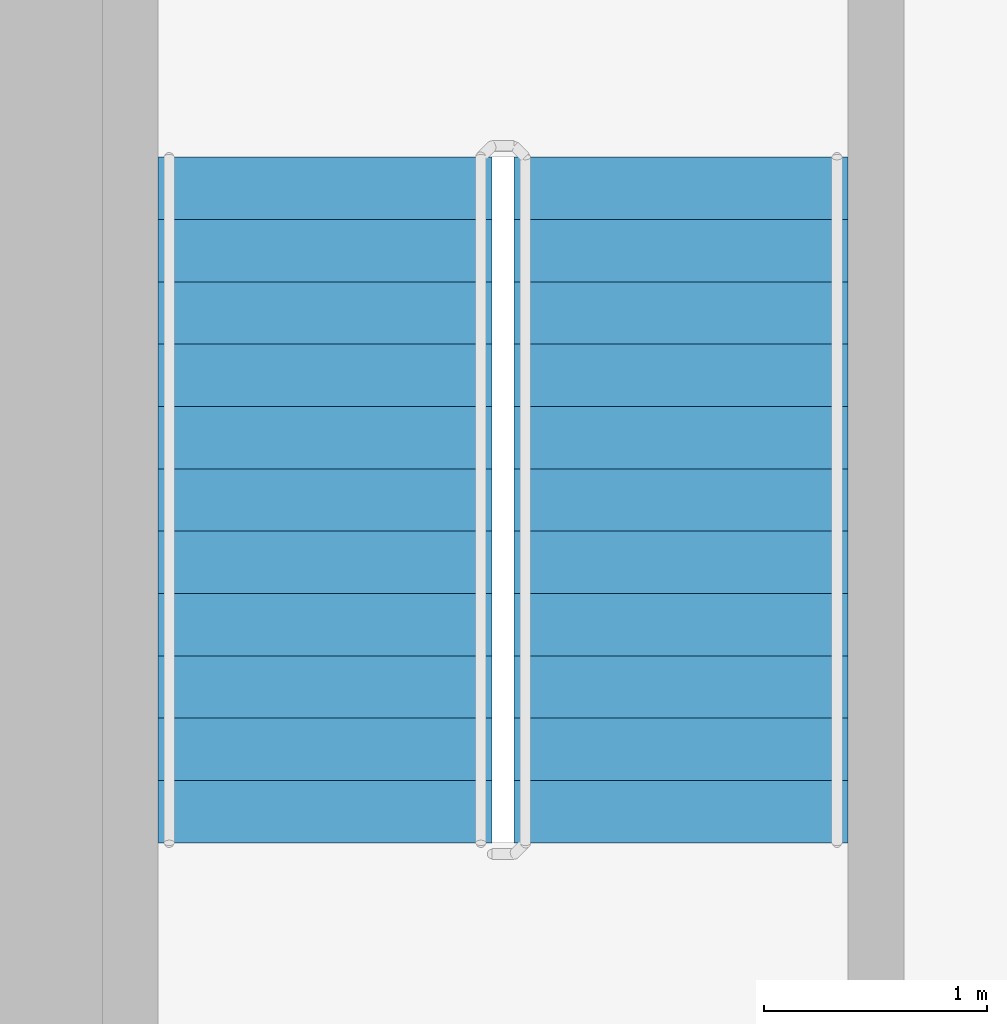
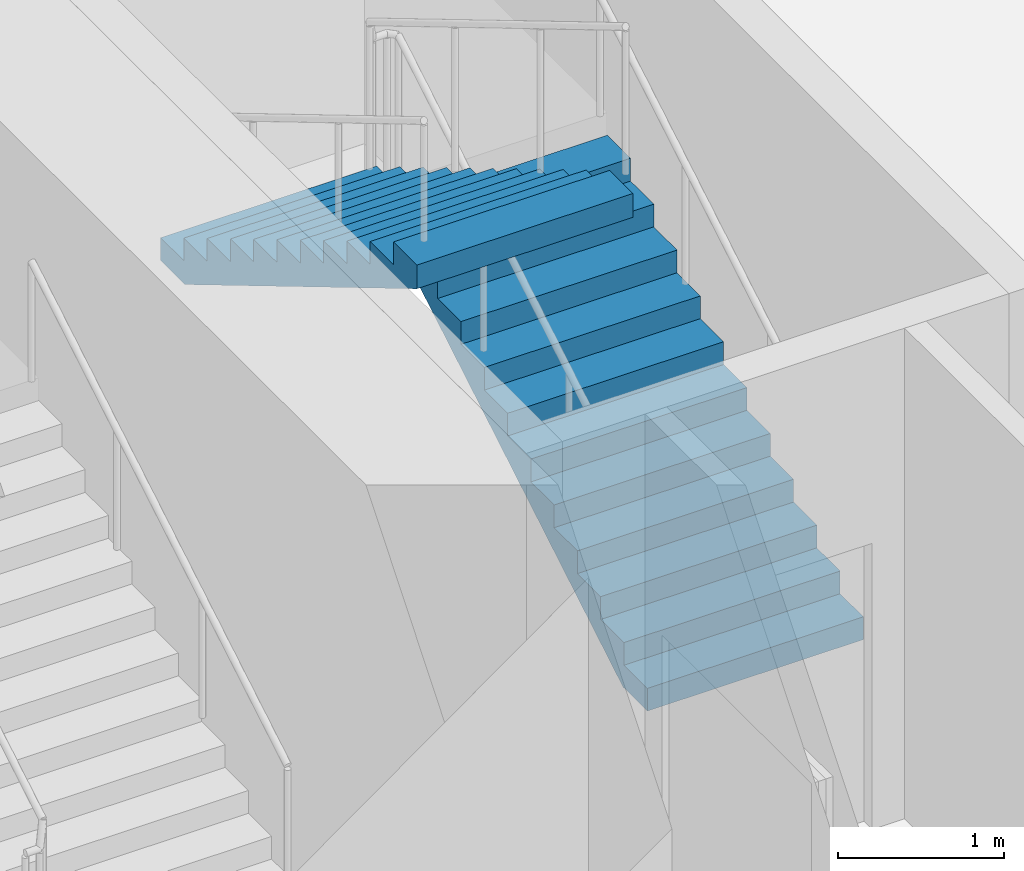
# One storey, part 18 of 21: 2 stair flights, 1 element without a shape of its own.
"""IFC4 building model written with IfcOpenShell, lengths in metres."""

from ifc_helpers import new_model, si_unit, direction, frame, origin, place, context, subcontext, project, spatial, triangles, source, transform, mapped, material, type_object, element, aggregate, save


model = new_model("IFC4")

# Units and contexts
model_context = context("Model", 3, precision=1e-05, world=origin(), true_north=direction((0.0, 1.0)))
body_context = subcontext(model_context, "Body", "Model", "MODEL_VIEW")
ifc_project = project(units=[si_unit("LENGTHUNIT", "METRE"), si_unit("AREAUNIT", "SQUARE_METRE"), si_unit("VOLUMEUNIT", "CUBIC_METRE"), si_unit("PLANEANGLEUNIT", "RADIAN"), si_unit("MASSUNIT", "GRAM", prefix="KILO")], contexts=[model_context])

# Site, building, storey
site_placement = place(None, origin())
site = spatial("IfcSite", under=ifc_project, at=site_placement, CompositionType="ELEMENT")
building_placement = place(site_placement, origin())
building = spatial("IfcBuilding", under=site, at=building_placement, Name="Kilnfold Tower and Market Hall", CompositionType="ELEMENT")
storey_placement = place(building_placement, frame((0.0, 0.0, 91.199951171875)))
storey = spatial("IfcBuildingStorey", under=building, at=storey_placement, Name="L21", CompositionType="ELEMENT", Elevation=91.199951171875)

# Stair, stair flights
ifc_material_1 = material(Name="Concrete C40/50", Category="concrete")
stair_type = type_object("IfcStairType", Name="CORE STAIR 1500", PredefinedType="HALF_TURN_STAIR", material=ifc_material_1)
stair_placement = place(storey_placement, origin())
stair = element("IfcStair", 1, at=stair_placement, inside=storey, type_object=stair_type, Name="L21 ST5", PredefinedType="HALF_TURN_STAIR")
ifc_material_2 = material(Name="Concrete C40/50", Category="concrete")
stair_flight_type = type_object("IfcStairFlightType", Name="CORE STAIR FLIGHT 1500", PredefinedType="STRAIGHT", material=ifc_material_2)
shared_shape = source(origin(), body_context, "Body", "Tessellation", [
    triangles([(0.0, 0.75, 0.0), (0.0, 0.65625, 0.0), (0.0, 0.5625, 0.0), (0.0, 0.46875, 0.0), (0.0, 0.375, 0.0), (0.0, 0.28125, 0.0), (0.0, 0.1875, 0.0), (0.0, 0.09375, 0.0), (0.0, 0.0, 0.0), (0.0, -0.09375, 0.0), (0.0, -0.1875, 0.0), (0.0, -0.28125, 0.0), (0.0, -0.375, 0.0), (0.0, -0.46875, 0.0), (0.0, -0.5625, 0.0), (0.0, -0.65625, 0.0), (0.0, -0.75, 0.0), (0.0, 0.75, 0.166748046875), (0.0, 0.65625, 0.166748046875), (0.0, 0.5625, 0.166748046875), (0.0, 0.46875, 0.166748046875), (0.0, 0.375, 0.166748046875), (0.0, 0.28125, 0.166748046875), (0.0, 0.1875, 0.166748046875), (0.0, 0.09375, 0.166748046875), (0.0, 0.0, 0.166748046875), (0.0, -0.09375, 0.166748046875), (0.0, -0.1875, 0.166748046875), (0.0, -0.28125, 0.166748046875), (0.0, -0.375, 0.166748046875), (0.0, -0.46875, 0.166748046875), (0.0, -0.5625, 0.166748046875), (0.0, -0.65625, 0.166748046875), (0.0, -0.75, 0.166748046875), (0.280029296875, 0.75, 0.166748046875), (0.280029296875, 0.65625, 0.166748046875), (0.280029296875, 0.5625, 0.166748046875), (0.280029296875, 0.46875, 0.166748046875), (0.280029296875, 0.375, 0.166748046875), (0.280029296875, 0.28125, 0.166748046875), (0.280029296875, 0.1875, 0.166748046875), (0.280029296875, 0.09375, 0.166748046875), (0.280029296875, 0.0, 0.166748046875), (0.280029296875, -0.09375, 0.166748046875), (0.280029296875, -0.1875, 0.166748046875), (0.280029296875, -0.28125, 0.166748046875), (0.280029296875, -0.375, 0.166748046875), (0.280029296875, -0.46875, 0.166748046875), (0.280029296875, -0.5625, 0.166748046875), (0.280029296875, -0.65625, 0.166748046875), (0.280029296875, -0.75, 0.166748046875), (0.280029296875, 0.75, 0.333251953125), (0.280029296875, 0.65625, 0.333251953125), (0.280029296875, 0.5625, 0.333251953125), (0.280029296875, 0.46875, 0.333251953125), (0.280029296875, 0.375, 0.333251953125), (0.280029296875, 0.28125, 0.333251953125), (0.280029296875, 0.1875, 0.333251953125), (0.280029296875, 0.09375, 0.333251953125), (0.280029296875, 0.0, 0.333251953125), (0.280029296875, -0.09375, 0.333251953125), (0.280029296875, -0.1875, 0.333251953125), (0.280029296875, -0.28125, 0.333251953125), (0.280029296875, -0.375, 0.333251953125), (0.280029296875, -0.46875, 0.333251953125), (0.280029296875, -0.5625, 0.333251953125), (0.280029296875, -0.65625, 0.333251953125), (0.280029296875, -0.75, 0.333251953125), (0.56005859375, 0.75, 0.333251953125), (0.56005859375, 0.65625, 0.333251953125), (0.56005859375, 0.5625, 0.333251953125), (0.56005859375, 0.46875, 0.333251953125), (0.56005859375, 0.375, 0.333251953125), (0.56005859375, 0.28125, 0.333251953125), (0.56005859375, 0.1875, 0.333251953125), (0.56005859375, 0.09375, 0.333251953125), (0.56005859375, 0.0, 0.333251953125), (0.56005859375, -0.09375, 0.333251953125), (0.56005859375, -0.1875, 0.333251953125), (0.56005859375, -0.28125, 0.333251953125), (0.56005859375, -0.375, 0.333251953125), (0.56005859375, -0.46875, 0.333251953125), (0.56005859375, -0.5625, 0.333251953125), (0.56005859375, -0.65625, 0.333251953125), (0.56005859375, -0.75, 0.333251953125), (0.56005859375, 0.75, 0.5), (0.56005859375, 0.65625, 0.5), (0.56005859375, 0.5625, 0.5), (0.56005859375, 0.46875, 0.5), (0.56005859375, 0.375, 0.5), (0.56005859375, 0.28125, 0.5), (0.56005859375, 0.1875, 0.5), (0.56005859375, 0.09375, 0.5), (0.56005859375, 0.0, 0.5), (0.56005859375, -0.09375, 0.5), (0.56005859375, -0.1875, 0.5), (0.56005859375, -0.28125, 0.5), (0.56005859375, -0.375, 0.5), (0.56005859375, -0.46875, 0.5), (0.56005859375, -0.5625, 0.5), (0.56005859375, -0.65625, 0.5), (0.56005859375, -0.75, 0.5), (0.840087890625, 0.75, 0.5), (0.840087890625, 0.65625, 0.5), (0.840087890625, 0.5625, 0.5), (0.840087890625, 0.46875, 0.5), (0.840087890625, 0.375, 0.5), (0.840087890625, 0.28125, 0.5), (0.840087890625, 0.1875, 0.5), (0.840087890625, 0.09375, 0.5), (0.840087890625, 0.0, 0.5), (0.840087890625, -0.09375, 0.5), (0.840087890625, -0.1875, 0.5), (0.840087890625, -0.28125, 0.5), (0.840087890625, -0.375, 0.5), (0.840087890625, -0.46875, 0.5), (0.840087890625, -0.5625, 0.5), (0.840087890625, -0.65625, 0.5), (0.840087890625, -0.75, 0.5), (0.840087890625, 0.75, 0.666748046875), (0.840087890625, 0.65625, 0.666748046875), (0.840087890625, 0.5625, 0.666748046875), (0.840087890625, 0.46875, 0.666748046875), (0.840087890625, 0.375, 0.666748046875), (0.840087890625, 0.28125, 0.666748046875), (0.840087890625, 0.1875, 0.666748046875), (0.840087890625, 0.09375, 0.666748046875), (0.840087890625, 0.0, 0.666748046875), (0.840087890625, -0.09375, 0.666748046875), (0.840087890625, -0.1875, 0.666748046875), (0.840087890625, -0.28125, 0.666748046875), (0.840087890625, -0.375, 0.666748046875), (0.840087890625, -0.46875, 0.666748046875), (0.840087890625, -0.5625, 0.666748046875), (0.840087890625, -0.65625, 0.666748046875), (0.840087890625, -0.75, 0.666748046875), (1.1201171875, 0.75, 0.666748046875), (1.1201171875, 0.65625, 0.666748046875), (1.1201171875, 0.5625, 0.666748046875), (1.1201171875, 0.46875, 0.666748046875), (1.1201171875, 0.375, 0.666748046875), (1.1201171875, 0.28125, 0.666748046875), (1.1201171875, 0.1875, 0.666748046875), (1.1201171875, 0.09375, 0.666748046875), (1.1201171875, 0.0, 0.666748046875), (1.1201171875, -0.09375, 0.666748046875), (1.1201171875, -0.1875, 0.666748046875), (1.1201171875, -0.28125, 0.666748046875), (1.1201171875, -0.375, 0.666748046875), (1.1201171875, -0.46875, 0.666748046875), (1.1201171875, -0.5625, 0.666748046875), (1.1201171875, -0.65625, 0.666748046875), (1.1201171875, -0.75, 0.666748046875), (1.1201171875, 0.75, 0.833251953125), (1.1201171875, 0.65625, 0.833251953125), (1.1201171875, 0.5625, 0.833251953125), (1.1201171875, 0.46875, 0.833251953125), (1.1201171875, 0.375, 0.833251953125), (1.1201171875, 0.28125, 0.833251953125), (1.1201171875, 0.1875, 0.833251953125), (1.1201171875, 0.09375, 0.833251953125), (1.1201171875, 0.0, 0.833251953125), (1.1201171875, -0.09375, 0.833251953125), (1.1201171875, -0.1875, 0.833251953125), (1.1201171875, -0.28125, 0.833251953125), (1.1201171875, -0.375, 0.833251953125), (1.1201171875, -0.46875, 0.833251953125), (1.1201171875, -0.5625, 0.833251953125), (1.1201171875, -0.65625, 0.833251953125), (1.1201171875, -0.75, 0.833251953125), (1.39990234375, 0.75, 0.833251953125), (1.39990234375, 0.65625, 0.833251953125), (1.39990234375, 0.5625, 0.833251953125), (1.39990234375, 0.46875, 0.833251953125), (1.39990234375, 0.375, 0.833251953125), (1.39990234375, 0.28125, 0.833251953125), (1.39990234375, 0.1875, 0.833251953125), (1.39990234375, 0.09375, 0.833251953125), (1.39990234375, 0.0, 0.833251953125), (1.39990234375, -0.09375, 0.833251953125), (1.39990234375, -0.1875, 0.833251953125), (1.39990234375, -0.28125, 0.833251953125), (1.39990234375, -0.375, 0.833251953125), (1.39990234375, -0.46875, 0.833251953125), (1.39990234375, -0.5625, 0.833251953125), (1.39990234375, -0.65625, 0.833251953125), (1.39990234375, -0.75, 0.833251953125), (1.39990234375, 0.75, 1.0), (1.39990234375, 0.65625, 1.0), (1.39990234375, 0.5625, 1.0), (1.39990234375, 0.46875, 1.0), (1.39990234375, 0.375, 1.0), (1.39990234375, 0.28125, 1.0), (1.39990234375, 0.1875, 1.0), (1.39990234375, 0.09375, 1.0), (1.39990234375, 0.0, 1.0), (1.39990234375, -0.09375, 1.0), (1.39990234375, -0.1875, 1.0), (1.39990234375, -0.28125, 1.0), (1.39990234375, -0.375, 1.0), (1.39990234375, -0.46875, 1.0), (1.39990234375, -0.5625, 1.0), (1.39990234375, -0.65625, 1.0), (1.39990234375, -0.75, 1.0), (1.679931640625, 0.75, 1.0), (1.679931640625, 0.65625, 1.0), (1.679931640625, 0.5625, 1.0), (1.679931640625, 0.46875, 1.0), (1.679931640625, 0.375, 1.0), (1.679931640625, 0.28125, 1.0), (1.679931640625, 0.1875, 1.0), (1.679931640625, 0.09375, 1.0), (1.679931640625, 0.0, 1.0), (1.679931640625, -0.09375, 1.0), (1.679931640625, -0.1875, 1.0), (1.679931640625, -0.28125, 1.0), (1.679931640625, -0.375, 1.0), (1.679931640625, -0.46875, 1.0), (1.679931640625, -0.5625, 1.0), (1.679931640625, -0.65625, 1.0), (1.679931640625, -0.75, 1.0), (1.679931640625, 0.75, 1.166748046875), (1.679931640625, 0.65625, 1.166748046875), (1.679931640625, 0.5625, 1.166748046875), (1.679931640625, 0.46875, 1.166748046875), (1.679931640625, 0.375, 1.166748046875), (1.679931640625, 0.28125, 1.166748046875), (1.679931640625, 0.1875, 1.166748046875), (1.679931640625, 0.09375, 1.166748046875), (1.679931640625, 0.0, 1.166748046875), (1.679931640625, -0.09375, 1.166748046875), (1.679931640625, -0.1875, 1.166748046875), (1.679931640625, -0.28125, 1.166748046875), (1.679931640625, -0.375, 1.166748046875), (1.679931640625, -0.46875, 1.166748046875), (1.679931640625, -0.5625, 1.166748046875), (1.679931640625, -0.65625, 1.166748046875), (1.679931640625, -0.75, 1.166748046875), (1.9599609375, 0.75, 1.166748046875), (1.9599609375, 0.65625, 1.166748046875), (1.9599609375, 0.5625, 1.166748046875), (1.9599609375, 0.46875, 1.166748046875), (1.9599609375, 0.375, 1.166748046875), (1.9599609375, 0.28125, 1.166748046875), (1.9599609375, 0.1875, 1.166748046875), (1.9599609375, 0.09375, 1.166748046875), (1.9599609375, 0.0, 1.166748046875), (1.9599609375, -0.09375, 1.166748046875), (1.9599609375, -0.1875, 1.166748046875), (1.9599609375, -0.28125, 1.166748046875), (1.9599609375, -0.375, 1.166748046875), (1.9599609375, -0.46875, 1.166748046875), (1.9599609375, -0.5625, 1.166748046875), (1.9599609375, -0.65625, 1.166748046875), (1.9599609375, -0.75, 1.166748046875), (1.9599609375, 0.75, 1.333251953125), (1.9599609375, 0.65625, 1.333251953125), (1.9599609375, 0.5625, 1.333251953125), (1.9599609375, 0.46875, 1.333251953125), (1.9599609375, 0.375, 1.333251953125), (1.9599609375, 0.28125, 1.333251953125), (1.9599609375, 0.1875, 1.333251953125), (1.9599609375, 0.09375, 1.333251953125), (1.9599609375, 0.0, 1.333251953125), (1.9599609375, -0.09375, 1.333251953125), (1.9599609375, -0.1875, 1.333251953125), (1.9599609375, -0.28125, 1.333251953125), (1.9599609375, -0.375, 1.333251953125), (1.9599609375, -0.46875, 1.333251953125), (1.9599609375, -0.5625, 1.333251953125), (1.9599609375, -0.65625, 1.333251953125), (1.9599609375, -0.75, 1.333251953125), (2.239990234375, 0.75, 1.333251953125), (2.239990234375, 0.65625, 1.333251953125), (2.239990234375, 0.5625, 1.333251953125), (2.239990234375, 0.46875, 1.333251953125), (2.239990234375, 0.375, 1.333251953125), (2.239990234375, 0.28125, 1.333251953125), (2.239990234375, 0.1875, 1.333251953125), (2.239990234375, 0.09375, 1.333251953125), (2.239990234375, 0.0, 1.333251953125), (2.239990234375, -0.09375, 1.333251953125), (2.239990234375, -0.1875, 1.333251953125), (2.239990234375, -0.28125, 1.333251953125), (2.239990234375, -0.375, 1.333251953125), (2.239990234375, -0.46875, 1.333251953125), (2.239990234375, -0.5625, 1.333251953125), (2.239990234375, -0.65625, 1.333251953125), (2.239990234375, -0.75, 1.333251953125), (2.239990234375, 0.75, 1.5), (2.239990234375, 0.65625, 1.5), (2.239990234375, 0.5625, 1.5), (2.239990234375, 0.46875, 1.5), (2.239990234375, 0.375, 1.5), (2.239990234375, 0.28125, 1.5), (2.239990234375, 0.1875, 1.5), (2.239990234375, 0.09375, 1.5), (2.239990234375, 0.0, 1.5), (2.239990234375, -0.09375, 1.5), (2.239990234375, -0.1875, 1.5), (2.239990234375, -0.28125, 1.5), (2.239990234375, -0.375, 1.5), (2.239990234375, -0.46875, 1.5), (2.239990234375, -0.5625, 1.5), (2.239990234375, -0.65625, 1.5), (2.239990234375, -0.75, 1.5), (2.52001953125, 0.75, 1.5), (2.52001953125, 0.65625, 1.5), (2.52001953125, 0.5625, 1.5), (2.52001953125, 0.46875, 1.5), (2.52001953125, 0.375, 1.5), (2.52001953125, 0.28125, 1.5), (2.52001953125, 0.1875, 1.5), (2.52001953125, 0.09375, 1.5), (2.52001953125, 0.0, 1.5), (2.52001953125, -0.09375, 1.5), (2.52001953125, -0.1875, 1.5), (2.52001953125, -0.28125, 1.5), (2.52001953125, -0.375, 1.5), (2.52001953125, -0.46875, 1.5), (2.52001953125, -0.5625, 1.5), (2.52001953125, -0.65625, 1.5), (2.52001953125, -0.75, 1.5), (2.52001953125, 0.75, 1.666748046875), (2.52001953125, 0.65625, 1.666748046875), (2.52001953125, 0.5625, 1.666748046875), (2.52001953125, 0.46875, 1.666748046875), (2.52001953125, 0.375, 1.666748046875), (2.52001953125, 0.28125, 1.666748046875), (2.52001953125, 0.1875, 1.666748046875), (2.52001953125, 0.09375, 1.666748046875), (2.52001953125, 0.0, 1.666748046875), (2.52001953125, -0.09375, 1.666748046875), (2.52001953125, -0.1875, 1.666748046875), (2.52001953125, -0.28125, 1.666748046875), (2.52001953125, -0.375, 1.666748046875), (2.52001953125, -0.46875, 1.666748046875), (2.52001953125, -0.5625, 1.666748046875), (2.52001953125, -0.65625, 1.666748046875), (2.52001953125, -0.75, 1.666748046875), (2.800048828125, 0.75, 1.666748046875), (2.800048828125, 0.65625, 1.666748046875), (2.800048828125, 0.5625, 1.666748046875), (2.800048828125, 0.46875, 1.666748046875), (2.800048828125, 0.375, 1.666748046875), (2.800048828125, 0.28125, 1.666748046875), (2.800048828125, 0.1875, 1.666748046875), (2.800048828125, 0.09375, 1.666748046875), (2.800048828125, 0.0, 1.666748046875), (2.800048828125, -0.09375, 1.666748046875), (2.800048828125, -0.1875, 1.666748046875), (2.800048828125, -0.28125, 1.666748046875), (2.800048828125, -0.375, 1.666748046875), (2.800048828125, -0.46875, 1.666748046875), (2.800048828125, -0.5625, 1.666748046875), (2.800048828125, -0.65625, 1.666748046875), (2.800048828125, -0.75, 1.666748046875), (2.800048828125, 0.75, 1.833251953125), (2.800048828125, 0.65625, 1.833251953125), (2.800048828125, 0.5625, 1.833251953125), (2.800048828125, 0.46875, 1.833251953125), (2.800048828125, 0.375, 1.833251953125), (2.800048828125, 0.28125, 1.833251953125), (2.800048828125, 0.1875, 1.833251953125), (2.800048828125, 0.09375, 1.833251953125), (2.800048828125, 0.0, 1.833251953125), (2.800048828125, -0.09375, 1.833251953125), (2.800048828125, -0.1875, 1.833251953125), (2.800048828125, -0.28125, 1.833251953125), (2.800048828125, -0.375, 1.833251953125), (2.800048828125, -0.46875, 1.833251953125), (2.800048828125, -0.5625, 1.833251953125), (2.800048828125, -0.65625, 1.833251953125), (2.800048828125, -0.75, 1.833251953125), (3.080078125, 0.75, 1.833251953125), (3.080078125, 0.65625, 1.833251953125), (3.080078125, 0.5625, 1.833251953125), (3.080078125, 0.46875, 1.833251953125), (3.080078125, 0.375, 1.833251953125), (3.080078125, 0.28125, 1.833251953125), (3.080078125, 0.1875, 1.833251953125), (3.080078125, 0.09375, 1.833251953125), (3.080078125, 0.0, 1.833251953125), (3.080078125, -0.09375, 1.833251953125), (3.080078125, -0.1875, 1.833251953125), (3.080078125, -0.28125, 1.833251953125), (3.080078125, -0.375, 1.833251953125), (3.080078125, -0.46875, 1.833251953125), (3.080078125, -0.5625, 1.833251953125), (3.080078125, -0.65625, 1.833251953125), (3.080078125, -0.75, 1.833251953125), (3.080078125, 0.75, 1.658935546875), (3.080078125, 0.65625, 1.658935546875), (3.080078125, 0.5625, 1.658935546875), (3.080078125, 0.46875, 1.658935546875), (3.080078125, 0.375, 1.658935546875), (3.080078125, 0.28125, 1.658935546875), (3.080078125, 0.1875, 1.658935546875), (3.080078125, 0.09375, 1.658935546875), (3.080078125, 0.0, 1.658935546875), (3.080078125, -0.09375, 1.658935546875), (3.080078125, -0.1875, 1.658935546875), (3.080078125, -0.28125, 1.658935546875), (3.080078125, -0.375, 1.658935546875), (3.080078125, -0.46875, 1.658935546875), (3.080078125, -0.5625, 1.658935546875), (3.080078125, -0.65625, 1.658935546875), (3.080078125, -0.75, 1.658935546875), (0.29296875, 0.75, 0.0), (0.29296875, 0.65625, 0.0), (0.29296875, 0.5625, 0.0), (0.29296875, 0.46875, 0.0), (0.29296875, 0.375, 0.0), (0.29296875, 0.28125, 0.0), (0.29296875, 0.1875, 0.0), (0.29296875, 0.09375, 0.0), (0.29296875, 0.0, 0.0), (0.29296875, -0.09375, 0.0), (0.29296875, -0.1875, 0.0), (0.29296875, -0.28125, 0.0), (0.29296875, -0.375, 0.0), (0.29296875, -0.46875, 0.0), (0.29296875, -0.5625, 0.0), (0.29296875, -0.65625, 0.0), (0.29296875, -0.75, 0.0)], [[1, 392, 409], [17, 425, 408], [392, 358, 375], [408, 391, 374], [392, 341, 358], [408, 374, 357], [392, 324, 341], [408, 357, 340], [392, 307, 324], [408, 340, 323], [307, 273, 290], [323, 306, 289], [392, 273, 307], [408, 323, 289], [273, 239, 256], [289, 272, 255], [392, 239, 273], [408, 289, 255], [239, 205, 222], [255, 238, 221], [392, 205, 239], [408, 255, 221], [205, 171, 188], [221, 204, 187], [392, 171, 205], [408, 221, 187], [171, 137, 154], [187, 170, 153], [392, 137, 171], [408, 187, 153], [137, 103, 120], [153, 136, 119], [392, 103, 137], [408, 153, 119], [103, 69, 86], [119, 102, 85], [392, 69, 103], [408, 119, 85], [1, 69, 392], [17, 408, 85], [69, 35, 52], [85, 68, 51], [1, 35, 69], [17, 85, 51], [35, 1, 18], [51, 34, 17], [1, 19, 18], [1, 2, 19], [2, 20, 19], [2, 3, 20], [3, 21, 20], [3, 4, 21], [4, 22, 21], [4, 5, 22], [5, 23, 22], [5, 6, 23], [6, 24, 23], [6, 7, 24], [7, 25, 24], [7, 8, 25], [8, 26, 25], [8, 9, 26], [9, 27, 26], [9, 10, 27], [10, 28, 27], [10, 11, 28], [11, 29, 28], [11, 12, 29], [12, 30, 29], [12, 13, 30], [13, 31, 30], [13, 14, 31], [14, 32, 31], [14, 15, 32], [15, 33, 32], [15, 16, 33], [16, 34, 33], [16, 17, 34], [18, 36, 35], [18, 19, 36], [19, 37, 36], [19, 20, 37], [20, 38, 37], [20, 21, 38], [21, 39, 38], [21, 22, 39], [22, 40, 39], [22, 23, 40], [23, 41, 40], [23, 24, 41], [24, 42, 41], [24, 25, 42], [25, 43, 42], [25, 26, 43], [26, 44, 43], [26, 27, 44], [27, 45, 44], [27, 28, 45], [28, 46, 45], [28, 29, 46], [29, 47, 46], [29, 30, 47], [30, 48, 47], [30, 31, 48], [31, 49, 48], [31, 32, 49], [32, 50, 49], [32, 33, 50], [33, 51, 50], [33, 34, 51], [35, 53, 52], [35, 36, 53], [36, 54, 53], [36, 37, 54], [37, 55, 54], [37, 38, 55], [38, 56, 55], [38, 39, 56], [39, 57, 56], [39, 40, 57], [40, 58, 57], [40, 41, 58], [41, 59, 58], [41, 42, 59], [42, 60, 59], [42, 43, 60], [43, 61, 60], [43, 44, 61], [44, 62, 61], [44, 45, 62], [45, 63, 62], [45, 46, 63], [46, 64, 63], [46, 47, 64], [47, 65, 64], [47, 48, 65], [48, 66, 65], [48, 49, 66], [49, 67, 66], [49, 50, 67], [50, 68, 67], [50, 51, 68], [52, 70, 69], [52, 53, 70], [53, 71, 70], [53, 54, 71], [54, 72, 71], [54, 55, 72], [55, 73, 72], [55, 56, 73], [56, 74, 73], [56, 57, 74], [57, 75, 74], [57, 58, 75], [58, 76, 75], [58, 59, 76], [59, 77, 76], [59, 60, 77], [60, 78, 77], [60, 61, 78], [61, 79, 78], [61, 62, 79], [62, 80, 79], [62, 63, 80], [63, 81, 80], [63, 64, 81], [64, 82, 81], [64, 65, 82], [65, 83, 82], [65, 66, 83], [66, 84, 83], [66, 67, 84], [67, 85, 84], [67, 68, 85], [69, 87, 86], [69, 70, 87], [70, 88, 87], [70, 71, 88], [71, 89, 88], [71, 72, 89], [72, 90, 89], [72, 73, 90], [73, 91, 90], [73, 74, 91], [74, 92, 91], [74, 75, 92], [75, 93, 92], [75, 76, 93], [76, 94, 93], [76, 77, 94], [77, 95, 94], [77, 78, 95], [78, 96, 95], [78, 79, 96], [79, 97, 96], [79, 80, 97], [80, 98, 97], [80, 81, 98], [81, 99, 98], [81, 82, 99], [82, 100, 99], [82, 83, 100], [83, 101, 100], [83, 84, 101], [84, 102, 101], [84, 85, 102], [86, 104, 103], [86, 87, 104], [87, 105, 104], [87, 88, 105], [88, 106, 105], [88, 89, 106], [89, 107, 106], [89, 90, 107], [90, 108, 107], [90, 91, 108], [91, 109, 108], [91, 92, 109], [92, 110, 109], [92, 93, 110], [93, 111, 110], [93, 94, 111], [94, 112, 111], [94, 95, 112], [95, 113, 112], [95, 96, 113], [96, 114, 113], [96, 97, 114], [97, 115, 114], [97, 98, 115], [98, 116, 115], [98, 99, 116], [99, 117, 116], [99, 100, 117], [100, 118, 117], [100, 101, 118], [101, 119, 118], [101, 102, 119], [103, 121, 120], [103, 104, 121], [104, 122, 121], [104, 105, 122], [105, 123, 122], [105, 106, 123], [106, 124, 123], [106, 107, 124], [107, 125, 124], [107, 108, 125], [108, 126, 125], [108, 109, 126], [109, 127, 126], [109, 110, 127], [110, 128, 127], [110, 111, 128], [111, 129, 128], [111, 112, 129], [112, 130, 129], [112, 113, 130], [113, 131, 130], [113, 114, 131], [114, 132, 131], [114, 115, 132], [115, 133, 132], [115, 116, 133], [116, 134, 133], [116, 117, 134], [117, 135, 134], [117, 118, 135], [118, 136, 135], [118, 119, 136], [120, 138, 137], [120, 121, 138], [121, 139, 138], [121, 122, 139], [122, 140, 139], [122, 123, 140], [123, 141, 140], [123, 124, 141], [124, 142, 141], [124, 125, 142], [125, 143, 142], [125, 126, 143], [126, 144, 143], [126, 127, 144], [127, 145, 144], [127, 128, 145], [128, 146, 145], [128, 129, 146], [129, 147, 146], [129, 130, 147], [130, 148, 147], [130, 131, 148], [131, 149, 148], [131, 132, 149], [132, 150, 149], [132, 133, 150], [133, 151, 150], [133, 134, 151], [134, 152, 151], [134, 135, 152], [135, 153, 152], [135, 136, 153], [137, 155, 154], [137, 138, 155], [138, 156, 155], [138, 139, 156], [139, 157, 156], [139, 140, 157], [140, 158, 157], [140, 141, 158], [141, 159, 158], [141, 142, 159], [142, 160, 159], [142, 143, 160], [143, 161, 160], [143, 144, 161], [144, 162, 161], [144, 145, 162], [145, 163, 162], [145, 146, 163], [146, 164, 163], [146, 147, 164], [147, 165, 164], [147, 148, 165], [148, 166, 165], [148, 149, 166], [149, 167, 166], [149, 150, 167], [150, 168, 167], [150, 151, 168], [151, 169, 168], [151, 152, 169], [152, 170, 169], [152, 153, 170], [154, 172, 171], [154, 155, 172], [155, 173, 172], [155, 156, 173], [156, 174, 173], [156, 157, 174], [157, 175, 174], [157, 158, 175], [158, 176, 175], [158, 159, 176], [159, 177, 176], [159, 160, 177], [160, 178, 177], [160, 161, 178], [161, 179, 178], [161, 162, 179], [162, 180, 179], [162, 163, 180], [163, 181, 180], [163, 164, 181], [164, 182, 181], [164, 165, 182], [165, 183, 182], [165, 166, 183], [166, 184, 183], [166, 167, 184], [167, 185, 184], [167, 168, 185], [168, 186, 185], [168, 169, 186], [169, 187, 186], [169, 170, 187], [171, 189, 188], [171, 172, 189], [172, 190, 189], [172, 173, 190], [173, 191, 190], [173, 174, 191], [174, 192, 191], [174, 175, 192], [175, 193, 192], [175, 176, 193], [176, 194, 193], [176, 177, 194], [177, 195, 194], [177, 178, 195], [178, 196, 195], [178, 179, 196], [179, 197, 196], [179, 180, 197], [180, 198, 197], [180, 181, 198], [181, 199, 198], [181, 182, 199], [182, 200, 199], [182, 183, 200], [183, 201, 200], [183, 184, 201], [184, 202, 201], [184, 185, 202], [185, 203, 202], [185, 186, 203], [186, 204, 203], [186, 187, 204], [188, 206, 205], [188, 189, 206], [189, 207, 206], [189, 190, 207], [190, 208, 207], [190, 191, 208], [191, 209, 208], [191, 192, 209], [192, 210, 209], [192, 193, 210], [193, 211, 210], [193, 194, 211], [194, 212, 211], [194, 195, 212], [195, 213, 212], [195, 196, 213], [196, 214, 213], [196, 197, 214], [197, 215, 214], [197, 198, 215], [198, 216, 215], [198, 199, 216], [199, 217, 216], [199, 200, 217], [200, 218, 217], [200, 201, 218], [201, 219, 218], [201, 202, 219], [202, 220, 219], [202, 203, 220], [203, 221, 220], [203, 204, 221], [205, 223, 222], [205, 206, 223], [206, 224, 223], [206, 207, 224], [207, 225, 224], [207, 208, 225], [208, 226, 225], [208, 209, 226], [209, 227, 226], [209, 210, 227], [210, 228, 227], [210, 211, 228], [211, 229, 228], [211, 212, 229], [212, 230, 229], [212, 213, 230], [213, 231, 230], [213, 214, 231], [214, 232, 231], [214, 215, 232], [215, 233, 232], [215, 216, 233], [216, 234, 233], [216, 217, 234], [217, 235, 234], [217, 218, 235], [218, 236, 235], [218, 219, 236], [219, 237, 236], [219, 220, 237], [220, 238, 237], [220, 221, 238], [222, 240, 239], [222, 223, 240], [223, 241, 240], [223, 224, 241], [224, 242, 241], [224, 225, 242], [225, 243, 242], [225, 226, 243], [226, 244, 243], [226, 227, 244], [227, 245, 244], [227, 228, 245], [228, 246, 245], [228, 229, 246], [229, 247, 246], [229, 230, 247], [230, 248, 247], [230, 231, 248], [231, 249, 248], [231, 232, 249], [232, 250, 249], [232, 233, 250], [233, 251, 250], [233, 234, 251], [234, 252, 251], [234, 235, 252], [235, 253, 252], [235, 236, 253], [236, 254, 253], [236, 237, 254], [237, 255, 254], [237, 238, 255], [239, 257, 256], [239, 240, 257], [240, 258, 257], [240, 241, 258], [241, 259, 258], [241, 242, 259], [242, 260, 259], [242, 243, 260], [243, 261, 260], [243, 244, 261], [244, 262, 261], [244, 245, 262], [245, 263, 262], [245, 246, 263], [246, 264, 263], [246, 247, 264], [247, 265, 264], [247, 248, 265], [248, 266, 265], [248, 249, 266], [249, 267, 266], [249, 250, 267], [250, 268, 267], [250, 251, 268], [251, 269, 268], [251, 252, 269], [252, 270, 269], [252, 253, 270], [253, 271, 270], [253, 254, 271], [254, 272, 271], [254, 255, 272], [256, 274, 273], [256, 257, 274], [257, 275, 274], [257, 258, 275], [258, 276, 275], [258, 259, 276], [259, 277, 276], [259, 260, 277], [260, 278, 277], [260, 261, 278], [261, 279, 278], [261, 262, 279], [262, 280, 279], [262, 263, 280], [263, 281, 280], [263, 264, 281], [264, 282, 281], [264, 265, 282], [265, 283, 282], [265, 266, 283], [266, 284, 283], [266, 267, 284], [267, 285, 284], [267, 268, 285], [268, 286, 285], [268, 269, 286], [269, 287, 286], [269, 270, 287], [270, 288, 287], [270, 271, 288], [271, 289, 288], [271, 272, 289], [273, 291, 290], [273, 274, 291], [274, 292, 291], [274, 275, 292], [275, 293, 292], [275, 276, 293], [276, 294, 293], [276, 277, 294], [277, 295, 294], [277, 278, 295], [278, 296, 295], [278, 279, 296], [279, 297, 296], [279, 280, 297], [280, 298, 297], [280, 281, 298], [281, 299, 298], [281, 282, 299], [282, 300, 299], [282, 283, 300], [283, 301, 300], [283, 284, 301], [284, 302, 301], [284, 285, 302], [285, 303, 302], [285, 286, 303], [286, 304, 303], [286, 287, 304], [287, 305, 304], [287, 288, 305], [288, 306, 305], [288, 289, 306], [290, 308, 307], [290, 291, 308], [291, 309, 308], [291, 292, 309], [292, 310, 309], [292, 293, 310], [293, 311, 310], [293, 294, 311], [294, 312, 311], [294, 295, 312], [295, 313, 312], [295, 296, 313], [296, 314, 313], [296, 297, 314], [297, 315, 314], [297, 298, 315], [298, 316, 315], [298, 299, 316], [299, 317, 316], [299, 300, 317], [300, 318, 317], [300, 301, 318], [301, 319, 318], [301, 302, 319], [302, 320, 319], [302, 303, 320], [303, 321, 320], [303, 304, 321], [304, 322, 321], [304, 305, 322], [305, 323, 322], [305, 306, 323], [307, 325, 324], [307, 308, 325], [308, 326, 325], [308, 309, 326], [309, 327, 326], [309, 310, 327], [310, 328, 327], [310, 311, 328], [311, 329, 328], [311, 312, 329], [312, 330, 329], [312, 313, 330], [313, 331, 330], [313, 314, 331], [314, 332, 331], [314, 315, 332], [315, 333, 332], [315, 316, 333], [316, 334, 333], [316, 317, 334], [317, 335, 334], [317, 318, 335], [318, 336, 335], [318, 319, 336], [319, 337, 336], [319, 320, 337], [320, 338, 337], [320, 321, 338], [321, 339, 338], [321, 322, 339], [322, 340, 339], [322, 323, 340], [324, 342, 341], [324, 325, 342], [325, 343, 342], [325, 326, 343], [326, 344, 343], [326, 327, 344], [327, 345, 344], [327, 328, 345], [328, 346, 345], [328, 329, 346], [329, 347, 346], [329, 330, 347], [330, 348, 347], [330, 331, 348], [331, 349, 348], [331, 332, 349], [332, 350, 349], [332, 333, 350], [333, 351, 350], [333, 334, 351], [334, 352, 351], [334, 335, 352], [335, 353, 352], [335, 336, 353], [336, 354, 353], [336, 337, 354], [337, 355, 354], [337, 338, 355], [338, 356, 355], [338, 339, 356], [339, 357, 356], [339, 340, 357], [341, 359, 358], [341, 342, 359], [342, 360, 359], [342, 343, 360], [343, 361, 360], [343, 344, 361], [344, 362, 361], [344, 345, 362], [345, 363, 362], [345, 346, 363], [346, 364, 363], [346, 347, 364], [347, 365, 364], [347, 348, 365], [348, 366, 365], [348, 349, 366], [349, 367, 366], [349, 350, 367], [350, 368, 367], [350, 351, 368], [351, 369, 368], [351, 352, 369], [352, 370, 369], [352, 353, 370], [353, 371, 370], [353, 354, 371], [354, 372, 371], [354, 355, 372], [355, 373, 372], [355, 356, 373], [356, 374, 373], [356, 357, 374], [358, 376, 375], [358, 359, 376], [359, 377, 376], [359, 360, 377], [360, 378, 377], [360, 361, 378], [361, 379, 378], [361, 362, 379], [362, 380, 379], [362, 363, 380], [363, 381, 380], [363, 364, 381], [364, 382, 381], [364, 365, 382], [365, 383, 382], [365, 366, 383], [366, 384, 383], [366, 367, 384], [367, 385, 384], [367, 368, 385], [368, 386, 385], [368, 369, 386], [369, 387, 386], [369, 370, 387], [370, 388, 387], [370, 371, 388], [371, 389, 388], [371, 372, 389], [372, 390, 389], [372, 373, 390], [373, 391, 390], [373, 374, 391], [375, 393, 392], [375, 376, 393], [376, 394, 393], [376, 377, 394], [377, 395, 394], [377, 378, 395], [378, 396, 395], [378, 379, 396], [379, 397, 396], [379, 380, 397], [380, 398, 397], [380, 381, 398], [381, 399, 398], [381, 382, 399], [382, 400, 399], [382, 383, 400], [383, 401, 400], [383, 384, 401], [384, 402, 401], [384, 385, 402], [385, 403, 402], [385, 386, 403], [386, 404, 403], [386, 387, 404], [387, 405, 404], [387, 388, 405], [388, 406, 405], [388, 389, 406], [389, 407, 406], [389, 390, 407], [390, 408, 407], [390, 391, 408], [392, 410, 409], [392, 393, 410], [393, 411, 410], [393, 394, 411], [394, 412, 411], [394, 395, 412], [395, 413, 412], [395, 396, 413], [396, 414, 413], [396, 397, 414], [397, 415, 414], [397, 398, 415], [398, 416, 415], [398, 399, 416], [399, 417, 416], [399, 400, 417], [400, 418, 417], [400, 401, 418], [401, 419, 418], [401, 402, 419], [402, 420, 419], [402, 403, 420], [403, 421, 420], [403, 404, 421], [404, 422, 421], [404, 405, 422], [405, 423, 422], [405, 406, 423], [406, 424, 423], [406, 407, 424], [407, 425, 424], [407, 408, 425], [409, 2, 1], [409, 410, 2], [410, 3, 2], [410, 411, 3], [411, 4, 3], [411, 412, 4], [412, 5, 4], [412, 413, 5], [413, 6, 5], [413, 414, 6], [414, 7, 6], [414, 415, 7], [415, 8, 7], [415, 416, 8], [416, 9, 8], [416, 417, 9], [417, 10, 9], [417, 418, 10], [418, 11, 10], [418, 419, 11], [419, 12, 11], [419, 420, 12], [420, 13, 12], [420, 421, 13], [421, 14, 13], [421, 422, 14], [422, 15, 14], [422, 423, 15], [423, 16, 15], [423, 424, 16], [424, 17, 16], [424, 425, 17]], closed=True),
])
stair_flight_1_placement = place(storey_placement, frame((20.699951171875, 11.5, 0.0), z_axis=(0.0, 0.0, 1.0), x_axis=(0.0, 1.0, 0.0)))
stair_flight_1 = element("IfcStairFlight", 2, at=stair_flight_1_placement, type_object=stair_flight_type, Name="ST5 flight 1", NumberOfRisers=12, NumberOfTreads=11, PredefinedType="STRAIGHT", RiserHeight=0.166666667, TreadLength=0.28, context=body_context, shape_type="MappedRepresentation", body=[
    mapped(shared_shape, transform((0.0, 0.0, 0.0))),
])
stair_flight_2_placement = place(storey_placement, frame((19.10009765625, 14.580078125, 2.0), z_axis=(0.0, 0.0, 1.0), x_axis=(0.0, -1.0, 0.0)))
stair_flight_2 = element("IfcStairFlight", 3, at=stair_flight_2_placement, type_object=stair_flight_type, Name="ST5 flight 2", NumberOfRisers=12, NumberOfTreads=11, PredefinedType="STRAIGHT", RiserHeight=0.166666667, TreadLength=0.28, context=body_context, shape_type="MappedRepresentation", body=[
    mapped(shared_shape, transform((0.0, 0.0, 0.0))),
])
aggregate(stair, [stair_flight_1, stair_flight_2])

save(model, "model.ifc")
